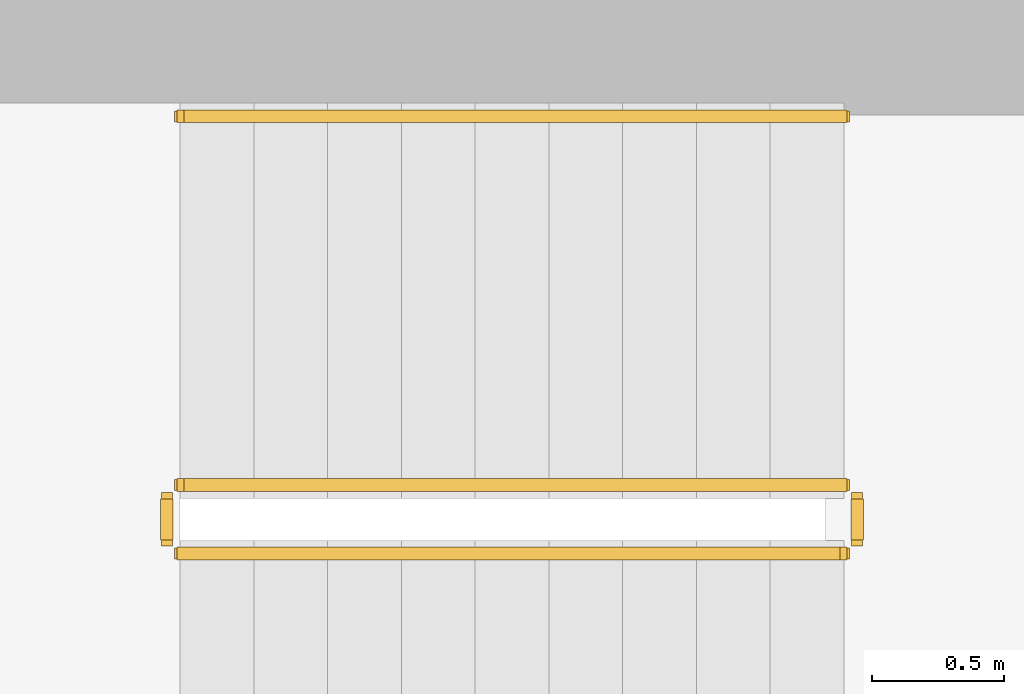
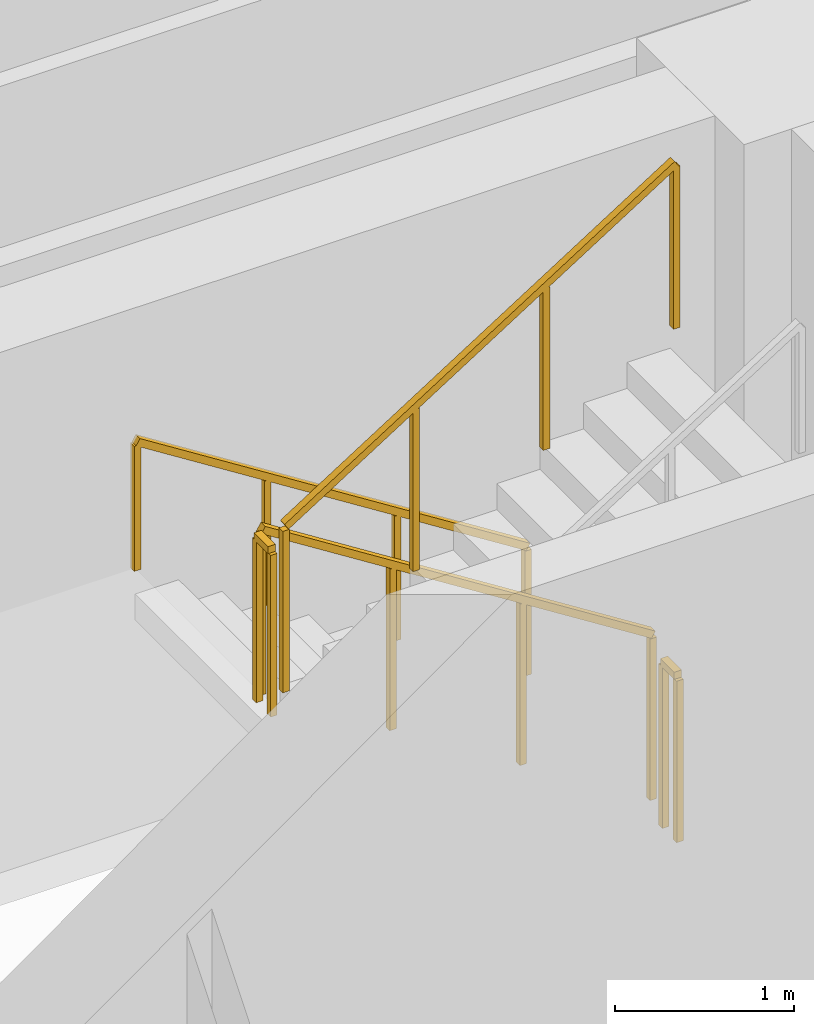
# One storey, part 11 of 13: 5 railings.
"""IFC4 building model written with IfcOpenShell, lengths in metres."""

import ifcopenshell
import ifcopenshell.guid

model = None  # the IFC model being written
_history = None  # IfcOwnerHistory: only IFC2X3 demands one
_inside = {}  # id of a spatial element -> (the spatial element, [elements in it])
_under = {}  # id of a project, library or spatial element -> (it, [spatial elements below it])
_declared = {}  # id of a project -> (the project, [libraries it declares])
_typed = {}  # id of a type object -> (the type object, [elements of that type])
_made_of = {}  # id of a material, layer set ... -> (it, [elements and type objects made of it])


def new_model(schema):
    """Start an empty IFC model of exactly this schema.

    Asked for "IFC4X3", IfcOpenShell would pick the latest addendum, in which some entities
    have other attributes; the version numbers below select the first issue.
    IFC2X3 requires an IfcOwnerHistory on every rooted entity: one is made here for all.
    """
    global model, _history
    if schema == "IFC4X3":
        model = ifcopenshell.file(schema_version=(4, 3, 0, 0))
    else:
        model = ifcopenshell.file(schema=schema)
    _inside.clear()
    _under.clear()
    _declared.clear()
    _typed.clear()
    _made_of.clear()
    _history = None
    if model.schema == "IFC2X3":
        org = make("IfcOrganization", Name="unknown")
        user = make(
            "IfcPersonAndOrganization",
            ThePerson=make("IfcPerson", FamilyName="unknown"),
            TheOrganization=org,
        )
        app = make(
            "IfcApplication",
            ApplicationDeveloper=org,
            Version="unknown",
            ApplicationFullName="unknown",
            ApplicationIdentifier="unknown",
        )
        _history = make(
            "IfcOwnerHistory",
            OwningUser=user,
            OwningApplication=app,
            ChangeAction="ADDED",
            CreationDate=0,
        )
    return model


def make(cls, **values):
    """One entity of the class cls with the attributes given. An attribute that is None is left unset."""
    return model.create_entity(
        cls, **{name: value for name, value in values.items() if value is not None}
    )


def rooted(cls, **values):
    """An entity with a GlobalId (a new one), such as an element, a storey or a relation."""
    return make(cls, GlobalId=ifcopenshell.guid.new(), OwnerHistory=_history, **values)


def si_unit(unit_type, name, prefix=None):
    """IfcSIUnit, for example si_unit("LENGTHUNIT", "METRE", prefix="MILLI")."""
    return make("IfcSIUnit", UnitType=unit_type, Prefix=prefix, Name=name)


def assignment(units):
    """IfcUnitAssignment: the units of a project."""
    return None if units is None else make("IfcUnitAssignment", Units=units)


def point(xyz):
    """IfcCartesianPoint."""
    return None if xyz is None else make("IfcCartesianPoint", Coordinates=xyz)


def direction(xyz):
    """IfcDirection."""
    return None if xyz is None else make("IfcDirection", DirectionRatios=xyz)


def frame(location, z_axis=None, x_axis=None):
    """IfcAxis2Placement3D, a coordinate frame: its origin and axes. An axis left out is left unset."""
    return make(
        "IfcAxis2Placement3D",
        Location=point(location),
        Axis=direction(z_axis),
        RefDirection=direction(x_axis),
    )


def frame_2d(location, x_axis=None):
    """IfcAxis2Placement2D, a coordinate frame in the plane: its origin and x axis."""
    return make(
        "IfcAxis2Placement2D", Location=point(location), RefDirection=direction(x_axis)
    )


def origin():
    """The frame at (0, 0, 0) with its axes left unset."""
    return frame((0.0, 0.0, 0.0))


def origin_2d():
    """The frame at (0, 0) in the plane with its x axis left unset."""
    return frame_2d((0.0, 0.0))


def place(relative_to, where):
    """IfcLocalPlacement: puts the frame where relative to a parent placement (None: the world)."""
    return make(
        "IfcLocalPlacement", PlacementRelTo=relative_to, RelativePlacement=where
    )


def context(
    kind, dimensions, precision=None, world=None, true_north=None, identifier=None
):
    """IfcGeometricRepresentationContext, for example the 3D "Model" context."""
    return make(
        "IfcGeometricRepresentationContext",
        ContextIdentifier=identifier,
        ContextType=kind,
        CoordinateSpaceDimension=dimensions,
        Precision=precision,
        WorldCoordinateSystem=world,
        TrueNorth=true_north,
    )


def subcontext(parent, identifier, kind, view, scale=None):
    """IfcGeometricRepresentationSubContext, for example "Body" below "Model"."""
    return make(
        "IfcGeometricRepresentationSubContext",
        ContextIdentifier=identifier,
        ContextType=kind,
        ParentContext=parent,
        TargetScale=scale,
        TargetView=view,
    )


def project(units=None, contexts=None):
    """IfcProject with its units and contexts."""
    return rooted(
        "IfcProject",
        Name="project",
        RepresentationContexts=contexts,
        UnitsInContext=assignment(units),
    )


def spatial(cls, under=None, at=None, **own):
    """A site, building, storey or space (cls), placed at a placement, below another one or the project."""
    s = rooted(cls, ObjectPlacement=at, **own)
    if under is not None:
        _under.setdefault(under.id(), (under, []))[1].append(s)
    return s


def profile(cls, at=None, kind="AREA", **sizes):
    """A parametric profile (cls). Its sizes go by their IFC names, for example OverallWidth=200.0."""
    return make(cls, ProfileType=kind, Position=at, **sizes)


def rectangle(**sizes):
    """IfcRectangleProfileDef."""
    return profile("IfcRectangleProfileDef", **sizes)


def extrude(swept, where, along, depth):
    """IfcExtrudedAreaSolid: the profile swept, set in the frame where, extruded along a direction by depth."""
    return make(
        "IfcExtrudedAreaSolid",
        SweptArea=swept,
        Position=where,
        ExtrudedDirection=direction(along),
        Depth=depth,
    )


def shape(context_of_items, identifier, shape_type, items):
    """IfcShapeRepresentation: the items that make up one representation, for example the "Body"."""
    return make(
        "IfcShapeRepresentation",
        ContextOfItems=context_of_items,
        RepresentationIdentifier=identifier,
        RepresentationType=shape_type,
        Items=items,
    )


def material(Name=None, Category=None):
    """IfcMaterial."""
    return make("IfcMaterial", Name=Name, Category=Category)


def made_of(thing, what):
    """Note that an element or type object is made of a material, layer set ...; save() writes the relation."""
    if what is not None:
        _made_of.setdefault(what.id(), (what, []))[1].append(thing)
    return thing


def type_object(cls, material=None, **own):
    """A type object (cls), such as IfcWallType, which elements share."""
    return made_of(rooted(cls, **own), material)


def element(
    cls,
    number,
    at=None,
    inside=None,
    cuts=None,
    type_object=None,
    material=None,
    context=None,
    identifier="Body",
    shape_type=None,
    held_by="IfcProductDefinitionShape",
    body=None,
    shapes=None,
    **own,
):
    """One element of the class cls, such as IfcWall. Its Tag is "e" and its number.

    at: its placement. inside: the storey or other place that contains it. cuts: it is an
    opening in that element (IfcRelVoidsElement). A single representation is given by context,
    identifier, shape_type and body (its items); several are given by shapes. held_by: the class
    of the entity that holds the representations. save() writes the other relations.
    """
    e = rooted(cls, Tag="e%d" % number, ObjectPlacement=at, **own)
    if body is not None:
        shapes = [shape(context, identifier, shape_type, body)]
    if shapes is not None:
        e.Representation = make(held_by, Representations=shapes)
    if inside is not None:
        _inside.setdefault(inside.id(), (inside, []))[1].append(e)
    if cuts is not None:
        rooted(
            "IfcRelVoidsElement", RelatingBuildingElement=cuts, RelatedOpeningElement=e
        )
    if type_object is not None:
        _typed.setdefault(type_object.id(), (type_object, []))[1].append(e)
    return made_of(e, material)


def aggregate(whole, parts):
    """IfcRelAggregates: a whole, such as a stair, and the parts it consists of."""
    return rooted("IfcRelAggregates", RelatingObject=whole, RelatedObjects=parts)


def save(model, path):
    """Write the relations noted so far, then the file.

    IfcRelAggregates (storeys below a building ...), IfcRelContainedInSpatialStructure (elements
    in a storey), IfcRelDefinesByType, IfcRelAssociatesMaterial and IfcRelDeclares: one each for
    every whole, place, type object, material and project.
    """
    for whole, parts in _under.values():
        aggregate(whole, parts)
    for where, things in _inside.values():
        rooted(
            "IfcRelContainedInSpatialStructure",
            RelatedElements=things,
            RelatingStructure=where,
        )
    for kind, things in _typed.values():
        rooted("IfcRelDefinesByType", RelatedObjects=things, RelatingType=kind)
    for what, things in _made_of.values():
        rooted("IfcRelAssociatesMaterial", RelatedObjects=things, RelatingMaterial=what)
    for by, libraries in _declared.values():
        rooted("IfcRelDeclares", RelatingContext=by, RelatedDefinitions=libraries)
    model.write(path)


model = new_model("IFC4")

# Units and contexts
model_context = context("Model", 3, precision=1e-05, world=origin(), true_north=direction((0.0, 1.0)))
body_context = subcontext(model_context, "Body", "Model", "MODEL_VIEW")
ifc_project = project(units=[si_unit("LENGTHUNIT", "METRE"), si_unit("AREAUNIT", "SQUARE_METRE"), si_unit("VOLUMEUNIT", "CUBIC_METRE"), si_unit("PLANEANGLEUNIT", "RADIAN"), si_unit("MASSUNIT", "GRAM", prefix="KILO")], contexts=[model_context])

# Site, building, storey
site_placement = place(None, origin())
site = spatial("IfcSite", under=ifc_project, at=site_placement, CompositionType="ELEMENT")
building_placement = place(site_placement, origin())
building = spatial("IfcBuilding", under=site, at=building_placement, Name="Zarnavel Station Tower", CompositionType="ELEMENT")
storey_placement = place(building_placement, frame((0.0, 0.0, 176.75)))
storey = spatial("IfcBuildingStorey", under=building, at=storey_placement, Name="L48", CompositionType="ELEMENT", Elevation=176.75)

# Railings
ifc_material_1 = material(Name="Painted Steel S355J2 Balustrade", Category="steel")
railing_type_1 = type_object("IfcRailingType", Name="GR_INT_1150", PredefinedType="GUARDRAIL", material=ifc_material_1)
railing_1_placement = place(storey_placement, frame((19.47998046875, 35.3701171875, 0.177490234375)))
element("IfcRailing", 1, at=railing_1_placement, inside=storey, type_object=railing_type_1, Name="L48 ST1 stair guard 1", PredefinedType="GUARDRAIL", context=body_context, shape_type="SweptSolid", body=[
    extrude(rectangle(XDim=0.048095703125, YDim=0.048095703125, at=origin_2d()), frame((-0.001708984375, 0.0, 1.126953125), z_axis=(-0.84460694969, 0.0, 0.535386869969), x_axis=(0.0, -1.0, 0.0)), (0.0, 0.0, 1.0), 2.979736328125),
    extrude(rectangle(XDim=0.0419921875, YDim=0.0419921875, at=origin_2d()), origin(), (0.0, 0.0, 1.0), 1.101806640625),
    extrude(rectangle(XDim=0.0419921875, YDim=0.0419921875, at=origin_2d()), frame((-0.840087890625, 0.0, 0.532470703125)), (0.0, 0.0, 1.0), 1.101806640625),
    extrude(rectangle(XDim=0.0419921875, YDim=0.0419921875, at=origin_2d()), frame((-1.679931640625, 0.0, 1.06494140625)), (0.0, 0.0, 1.0), 1.101806640625),
    extrude(rectangle(XDim=0.0419921875, YDim=0.0419921875, at=origin_2d()), frame((-2.52001953125, 0.0, 1.597412109375)), (0.0, 0.0, 1.0), 1.101806640625),
])
railing_2_placement = place(storey_placement, frame((16.909912109375, 35.320068359375, 1.77490234375)))
element("IfcRailing", 2, at=railing_2_placement, inside=storey, type_object=railing_type_1, Name="L48 ST1 stair guard 2", PredefinedType="GUARDRAIL", context=body_context, shape_type="SweptSolid", body=[
    extrude(rectangle(XDim=0.048095703125, YDim=0.048095703125, at=origin_2d()), frame((0.0, -0.001953125, 1.1259765625), z_axis=(0.0, -1.0, 0.0), x_axis=(1.0, 0.0, 0.0)), (0.0, 0.0, 1.0), 0.15625),
    extrude(rectangle(XDim=0.0419921875, YDim=0.0419921875, at=origin_2d()), origin(), (0.0, 0.0, 1.0), 1.101806640625),
    extrude(rectangle(XDim=0.0419921875, YDim=0.0419921875, at=origin_2d()), frame((0.0, -0.16015625, 0.0)), (0.0, 0.0, 1.0), 1.101806640625),
])
railing_3_placement = place(storey_placement, frame((16.9599609375, 35.110107421875, 1.952392578125)))
element("IfcRailing", 3, at=railing_3_placement, inside=storey, type_object=railing_type_1, Name="L48 ST1 stair guard 3", PredefinedType="GUARDRAIL", context=body_context, shape_type="SweptSolid", body=[
    extrude(rectangle(XDim=0.048095703125, YDim=0.048095703125, at=origin_2d()), frame((0.001708984375, 0.0, 1.126953125), z_axis=(0.84456994832, 0.0, 0.535445237532), x_axis=(0.0, 1.0, 0.0)), (0.0, 0.0, 1.0), 2.979736328125),
    extrude(rectangle(XDim=0.0419921875, YDim=0.0419921875, at=origin_2d()), origin(), (0.0, 0.0, 1.0), 1.101806640625),
    extrude(rectangle(XDim=0.0419921875, YDim=0.0419921875, at=origin_2d()), frame((0.840087890625, 0.0, 0.532470703125)), (0.0, 0.0, 1.0), 1.101806640625),
    extrude(rectangle(XDim=0.0419921875, YDim=0.0419921875, at=origin_2d()), frame((1.679931640625, 0.0, 1.065185546875)), (0.0, 0.0, 1.0), 1.101806640625),
    extrude(rectangle(XDim=0.0419921875, YDim=0.0419921875, at=origin_2d()), frame((2.52001953125, 0.0, 1.59765625)), (0.0, 0.0, 1.0), 1.101806640625),
])
railing_4_placement = place(storey_placement, frame((19.530029296875, 35.320068359375, 0.0)))
element("IfcRailing", 4, at=railing_4_placement, inside=storey, type_object=railing_type_1, Name="L48 ST1 stair guard 4", PredefinedType="GUARDRAIL", context=body_context, shape_type="SweptSolid", body=[
    extrude(rectangle(XDim=0.048095703125, YDim=0.048095703125, at=origin_2d()), frame((0.0, -0.001953125, 1.1259765625), z_axis=(0.0, -1.0, 0.0), x_axis=(1.0, 0.0, 0.0)), (0.0, 0.0, 1.0), 0.15625),
    extrude(rectangle(XDim=0.0419921875, YDim=0.0419921875, at=origin_2d()), origin(), (0.0, 0.0, 1.0), 1.101806640625),
    extrude(rectangle(XDim=0.0419921875, YDim=0.0419921875, at=origin_2d()), frame((0.0, -0.16015625, 0.0)), (0.0, 0.0, 1.0), 1.101806640625),
])
ifc_material_2 = material(Name="Brushed Stainless Steel S355J2 Handrail", Category="steel")
railing_type_2 = type_object("IfcRailingType", Name="HR_STAIR_900", PredefinedType="HANDRAIL", material=ifc_material_2)
railing_5_placement = place(storey_placement, frame((19.47998046875, 36.77001953125, 0.177490234375)))
element("IfcRailing", 5, at=railing_5_placement, inside=storey, type_object=railing_type_2, Name="L48 ST1 stair handrail 1", PredefinedType="HANDRAIL", context=body_context, shape_type="SweptSolid", body=[
    extrude(rectangle(XDim=0.048095703125, YDim=0.048095703125, at=origin_2d()), frame((-0.001708984375, 0.0, 0.876953125), z_axis=(-0.84460694969, 0.0, 0.535386869969), x_axis=(0.0, -1.0, 0.0)), (0.0, 0.0, 1.0), 2.979736328125),
    extrude(rectangle(XDim=0.0419921875, YDim=0.0419921875, at=origin_2d()), origin(), (0.0, 0.0, 1.0), 0.851806640625),
    extrude(rectangle(XDim=0.0419921875, YDim=0.0419921875, at=origin_2d()), frame((-0.840087890625, 0.0, 0.532470703125)), (0.0, 0.0, 1.0), 0.851806640625),
    extrude(rectangle(XDim=0.0419921875, YDim=0.0419921875, at=origin_2d()), frame((-1.679931640625, 0.0, 1.06494140625)), (0.0, 0.0, 1.0), 0.851806640625),
    extrude(rectangle(XDim=0.0419921875, YDim=0.0419921875, at=origin_2d()), frame((-2.52001953125, 0.0, 1.597412109375)), (0.0, 0.0, 1.0), 0.851806640625),
])

save(model, "model.ifc")
